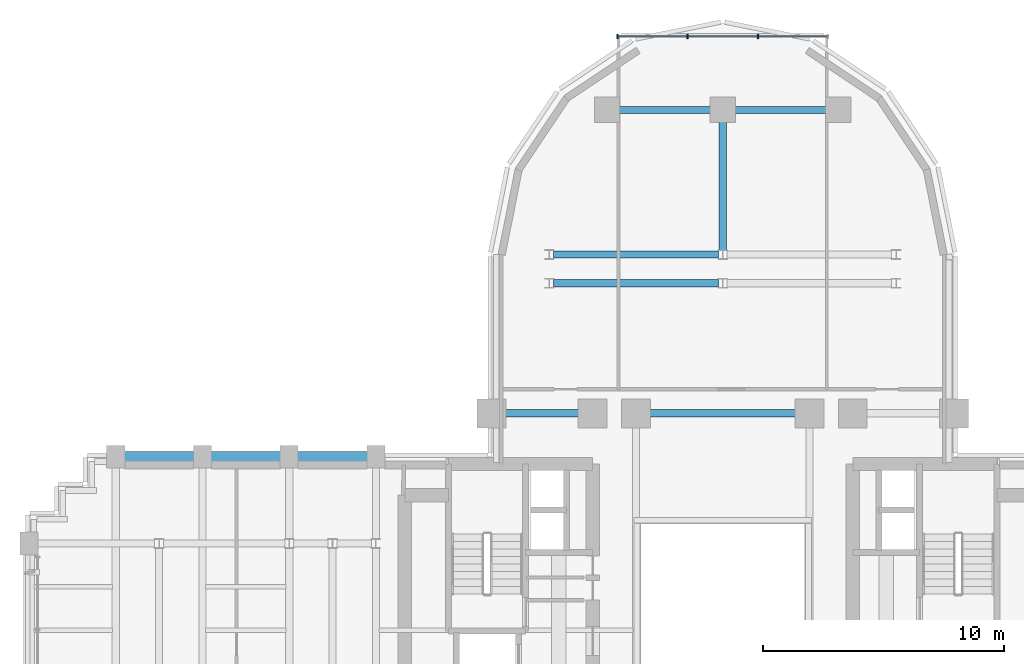
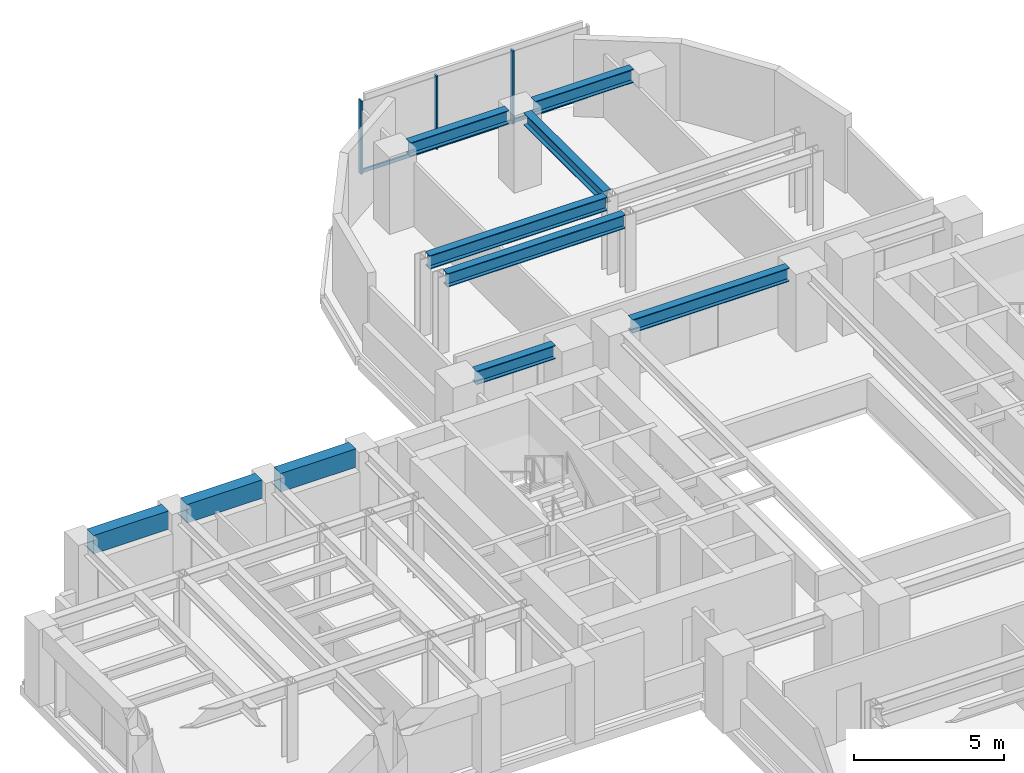
# One storey, part 7 of 16: 10 beams, 6 members, 1 element without a shape of its own.
"""IFC4 building model written with IfcOpenShell, lengths in metres."""

from ifc_helpers import new_model, si_unit, direction, frame, origin, origin_2d, place, context, subcontext, project, spatial, rectangle, i_section, extrude, source, transform, mapped, material, material_profile, profile_set, type_object, element, aggregate, save


model = new_model("IFC4")

# Units and contexts
model_context = context("Model", 3, precision=1e-05, world=origin(), true_north=direction((0.0, 1.0)))
body_context = subcontext(model_context, "Body", "Model", "MODEL_VIEW")
ifc_project = project(units=[si_unit("LENGTHUNIT", "METRE"), si_unit("AREAUNIT", "SQUARE_METRE"), si_unit("VOLUMEUNIT", "CUBIC_METRE"), si_unit("PLANEANGLEUNIT", "RADIAN"), si_unit("MASSUNIT", "GRAM", prefix="KILO")], contexts=[model_context])

# Site, building, storey
site_placement = place(None, origin())
site = spatial("IfcSite", under=ifc_project, at=site_placement, CompositionType="ELEMENT")
building_placement = place(site_placement, origin())
building = spatial("IfcBuilding", under=site, at=building_placement, Name="Keilestroom Media Tower", CompositionType="ELEMENT")
storey_placement = place(building_placement, frame((0.0, 0.0, 85.0)))
storey = spatial("IfcBuildingStorey", under=building, at=storey_placement, Name="L22", CompositionType="ELEMENT", Elevation=85.0)

# Beams
ifc_material_1 = material(Name="Steel S355", Category="steel")
ifc_material_profile_1 = material_profile(ifc_material_1, i_section(OverallWidth=0.300048828125, OverallDepth=0.550048828125, WebThickness=0.012939453125, FlangeThickness=0.029052734375, at=origin_2d()), Name="HEB 550")
ifc_profile_set_1 = profile_set([ifc_material_profile_1], Name="Steel S355")
beam_type_1 = type_object("IfcBeamType", Name="Primary-Structural-Girder-HEB-550", PredefinedType="BEAM", material=ifc_profile_set_1)
shared_shape_1 = source(origin(), body_context, "Body", "SweptSolid", [
    extrude(i_section(OverallWidth=0.300048828125, OverallDepth=0.550048828125, WebThickness=0.012939453125, FlangeThickness=0.029052734375, at=origin_2d()), origin(), (0.0, 0.0, 1.0), 3.7900390625),
])
for number, where, z_axis, x_axis, name in (
    (1, (-4.294921875, 21.60009765625, 2.864990234375), (1.0, 0.0, 0.0), (0.0, 1.0, 0.0), "L22 Beam BG-5 BM-L22-EW-049"),
    (2, (0.5048828125, 21.60009765625, 2.864990234375), (1.0, 0.0, 0.0), (0.0, 1.0, 0.0), "L22 Beam BG-5 BM-L22-EW-050"),
):
    element("IfcBeam", number, at=place(storey_placement, frame(where, z_axis=z_axis, x_axis=x_axis)), inside=storey, type_object=beam_type_1, Name=name, PredefinedType="BEAM", context=body_context, shape_type="MappedRepresentation", body=[
        mapped(shared_shape_1, transform((0.0, 0.0, 0.0), x_axis=(1.0, 0.0, 0.0), y_axis=(0.0, 1.0, 0.0), z_axis=(0.0, 0.0, 1.0), scale=1.0)),
    ])
shared_shape_2 = source(origin(), body_context, "Body", "SweptSolid", [
    extrude(i_section(OverallWidth=0.300048828125, OverallDepth=0.550048828125, WebThickness=0.012939453125, FlangeThickness=0.029052734375, at=origin_2d()), origin(), (0.0, 0.0, 1.0), 6.836181640625),
])
for number, where, z_axis, x_axis, name in (
    (3, (-7.01806640625, 14.39990234375, 2.864990234375), (1.0, 0.0, 0.0), (0.0, 1.0, 0.0), "L22 Beam BG-5 BM-L22-EW-045"),
    (4, (-7.01806640625, 15.60009765625, 2.864990234375), (1.0, 0.0, 0.0), (0.0, 1.0, 0.0), "L22 Beam BG-5 BM-L22-EW-047"),
):
    element("IfcBeam", number, at=place(storey_placement, frame(where, z_axis=z_axis, x_axis=x_axis)), inside=storey, type_object=beam_type_1, Name=name, PredefinedType="BEAM", context=body_context, shape_type="MappedRepresentation", body=[
        mapped(shared_shape_2, transform((0.0, 0.0, 0.0), x_axis=(1.0, 0.0, 0.0), y_axis=(0.0, 1.0, 0.0), z_axis=(0.0, 0.0, 1.0), scale=1.0)),
    ])
shared_shape_3 = source(origin(), body_context, "Body", "SweptSolid", [
    extrude(i_section(OverallWidth=0.300048828125, OverallDepth=0.550048828125, WebThickness=0.012939453125, FlangeThickness=0.029052734375, at=origin_2d()), origin(), (0.0, 0.0, 1.0), 3.0400390625),
])
beam_1_placement = place(storey_placement, frame((-9.02001953125, 9.0, 2.864990234375), z_axis=(1.0, 0.0, 0.0), x_axis=(0.0, 1.0, 0.0)))
element("IfcBeam", 5, at=beam_1_placement, inside=storey, type_object=beam_type_1, Name="L22 Beam BG-5 BM-L22-EW-040", PredefinedType="BEAM", context=body_context, shape_type="MappedRepresentation", body=[
    mapped(shared_shape_3, transform((0.0, 0.0, 0.0), x_axis=(1.0, 0.0, 0.0), y_axis=(0.0, 1.0, 0.0), z_axis=(0.0, 0.0, 1.0), scale=1.0)),
])
shared_shape_4 = source(origin(), body_context, "Body", "SweptSolid", [
    extrude(i_section(OverallWidth=0.300048828125, OverallDepth=0.550048828125, WebThickness=0.012939453125, FlangeThickness=0.029052734375, at=origin_2d()), origin(), (0.0, 0.0, 1.0), 6.0400390625),
])
beam_2_placement = place(storey_placement, frame((-3.02001953125, 9.0, 2.864990234375), z_axis=(1.0, 0.0, 0.0), x_axis=(0.0, 1.0, 0.0)))
element("IfcBeam", 6, at=beam_2_placement, inside=storey, type_object=beam_type_1, Name="L22 Beam BG-5 BM-L22-EW-042", PredefinedType="BEAM", context=body_context, shape_type="MappedRepresentation", body=[
    mapped(shared_shape_4, transform((0.0, 0.0, 0.0), x_axis=(1.0, 0.0, 0.0), y_axis=(0.0, 1.0, 0.0), z_axis=(0.0, 0.0, 1.0), scale=1.0)),
])
ifc_material_2 = material(Name="Precast concrete C40/50", Category="concrete")
ifc_material_profile_2 = material_profile(ifc_material_2, rectangle(XDim=0.449951171875, YDim=0.75, at=origin_2d()), Name="PC 450x750")
ifc_profile_set_2 = profile_set([ifc_material_profile_2], Name="Precast concrete C40/50")
beam_type_2 = type_object("IfcBeamType", Name="Perimeter-Spandrel-Beam-PC-450x750", PredefinedType="SPANDREL", material=ifc_profile_set_2)
shared_shape_5 = source(origin(), body_context, "Body", "SweptSolid", [
    extrude(rectangle(XDim=0.449951171875, YDim=0.75, at=origin_2d()), origin(), (0.0, 0.0, 1.0), 2.889892578125),
])
beam_3_placement = place(storey_placement, frame((-24.844970703125, 7.199951171875, 2.764892578125), z_axis=(1.0, 0.0, 0.0), x_axis=(0.0, 1.0, 0.0)))
element("IfcBeam", 7, at=beam_3_placement, inside=storey, type_object=beam_type_2, Name="L22 Beam SPB-1 BM-L22-EW-034", PredefinedType="SPANDREL", context=body_context, shape_type="MappedRepresentation", body=[
    mapped(shared_shape_5, transform((0.0, 0.0, 0.0), x_axis=(1.0, 0.0, 0.0), y_axis=(0.0, 1.0, 0.0), z_axis=(0.0, 0.0, 1.0), scale=1.0)),
])
shared_shape_6 = source(origin(), body_context, "Body", "SweptSolid", [
    extrude(rectangle(XDim=0.449951171875, YDim=0.75, at=origin_2d()), origin(), (0.0, 0.0, 1.0), 2.89013671875),
])
for number, where, z_axis, x_axis, name in (
    (8, (-21.2451171875, 7.199951171875, 2.764892578125), (1.0, 0.0, 0.0), (0.0, 1.0, 0.0), "L22 Beam SPB-1 BM-L22-EW-035"),
    (9, (-17.64501953125, 7.199951171875, 2.764892578125), (1.0, 0.0, 0.0), (0.0, 1.0, 0.0), "L22 Beam SPB-1 BM-L22-EW-036"),
):
    element("IfcBeam", number, at=place(storey_placement, frame(where, z_axis=z_axis, x_axis=x_axis)), inside=storey, type_object=beam_type_2, Name=name, PredefinedType="SPANDREL", context=body_context, shape_type="MappedRepresentation", body=[
        mapped(shared_shape_6, transform((0.0, 0.0, 0.0), x_axis=(1.0, 0.0, 0.0), y_axis=(0.0, 1.0, 0.0), z_axis=(0.0, 0.0, 1.0), scale=1.0)),
    ])
ifc_material_profile_3 = material_profile(ifc_material_1, i_section(OverallWidth=0.300048828125, OverallDepth=0.5, WebThickness=0.012451171875, FlangeThickness=0.028076171875, at=origin_2d()), Name="HEB 500")
ifc_profile_set_3 = profile_set([ifc_material_profile_3], Name="Steel S355")
beam_type_3 = type_object("IfcBeamType", Name="Primary-Structural-Girder-HEB-500", PredefinedType="BEAM", material=ifc_profile_set_3)
shared_shape_7 = source(origin(), body_context, "Body", "SweptSolid", [
    extrude(i_section(OverallWidth=0.300048828125, OverallDepth=0.5, WebThickness=0.012451171875, FlangeThickness=0.028076171875, at=origin_2d()), origin(), (0.0, 0.0, 1.0), 5.3115234375),
])
beam_4_placement = place(storey_placement, frame((0.0, 15.783447265625, 2.889892578125), z_axis=(0.0, 1.0, 0.0), x_axis=(-1.0, 0.0, 0.0)))
element("IfcBeam", 10, at=beam_4_placement, inside=storey, type_object=beam_type_3, Name="L22 Beam BG-6 BM-L22-NS-070", PredefinedType="BEAM", context=body_context, shape_type="MappedRepresentation", body=[
    mapped(shared_shape_7, transform((0.0, 0.0, 0.0), x_axis=(1.0, 0.0, 0.0), y_axis=(0.0, 1.0, 0.0), z_axis=(0.0, 0.0, 1.0), scale=1.0)),
])

# Curtain wall, members
ifc_material_3 = material(Name="Anodised Aluminium Alloy", Category="aluminium")
curtain_wall_type = type_object("IfcCurtainWallType", Name="Unitised-Curtain-Wall-CW-6", PredefinedType="NOTDEFINED", material=ifc_material_3)
curtain_wall_placement = place(storey_placement, origin())
curtain_wall = element("IfcCurtainWall", 11, at=curtain_wall_placement, inside=storey, type_object=curtain_wall_type, Name="L22 Curtain Wall CW-6 CW-L22-LN-1", PredefinedType="NOTDEFINED")
ifc_material_profile_4 = material_profile(ifc_material_3, rectangle(XDim=0.06494140625, YDim=0.179931640625, at=origin_2d()), Name="ALU MULLION 65x180")
ifc_profile_set_4 = profile_set([ifc_material_profile_4], Name="Anodised Aluminium Alloy")
member_type_1 = type_object("IfcMemberType", Name="Curtain-Wall-Mullion-CW-6", PredefinedType="MULLION", material=ifc_profile_set_4)
shared_shape_8 = source(origin(), body_context, "Body", "SweptSolid", [
    extrude(rectangle(XDim=0.06494140625, YDim=0.179931640625, at=origin_2d()), origin(), (0.0, 0.0, 1.0), 2.97998046875),
])
member_1_placement = place(storey_placement, frame((-4.367431640625, 24.64990234375, 0.0), z_axis=(0.0, 0.0, 1.0), x_axis=(1.0, 0.0, 0.0)))
member_1 = element("IfcMember", 12, at=member_1_placement, type_object=member_type_1, Name="CW-6 Mullion 00", PredefinedType="MULLION", context=body_context, shape_type="MappedRepresentation", body=[
    mapped(shared_shape_8, transform((0.0, 0.0, 0.0), x_axis=(1.0, 0.0, 0.0), y_axis=(0.0, 1.0, 0.0), z_axis=(0.0, 0.0, 1.0), scale=1.0)),
])
member_2_placement = place(storey_placement, frame((-1.466796875, 24.64990234375, 0.0), z_axis=(0.0, 0.0, 1.0), x_axis=(1.0, 0.0, 0.0)))
member_2 = element("IfcMember", 13, at=member_2_placement, type_object=member_type_1, Name="CW-6 Mullion 01", PredefinedType="MULLION", context=body_context, shape_type="MappedRepresentation", body=[
    mapped(shared_shape_8, transform((0.0, 0.0, 0.0), x_axis=(1.0, 0.0, 0.0), y_axis=(0.0, 1.0, 0.0), z_axis=(0.0, 0.0, 1.0), scale=1.0)),
])
member_3_placement = place(storey_placement, frame((1.466796875, 24.64990234375, 0.0), z_axis=(0.0, 0.0, 1.0), x_axis=(1.0, 0.0, 0.0)))
member_3 = element("IfcMember", 14, at=member_3_placement, type_object=member_type_1, Name="CW-6 Mullion 02", PredefinedType="MULLION", context=body_context, shape_type="MappedRepresentation", body=[
    mapped(shared_shape_8, transform((0.0, 0.0, 0.0), x_axis=(1.0, 0.0, 0.0), y_axis=(0.0, 1.0, 0.0), z_axis=(0.0, 0.0, 1.0), scale=1.0)),
])
ifc_material_profile_5 = material_profile(ifc_material_3, rectangle(XDim=0.06494140625, YDim=0.14990234375, at=origin_2d()), Name="ALU TRANSOM 65x150")
ifc_profile_set_5 = profile_set([ifc_material_profile_5], Name="Anodised Aluminium Alloy")
member_type_2 = type_object("IfcMemberType", Name="Curtain-Wall-Transom-CW-6", PredefinedType="USERDEFINED", material=ifc_profile_set_5)
shared_shape_9 = source(origin(), body_context, "Body", "SweptSolid", [
    extrude(rectangle(XDim=0.06494140625, YDim=0.14990234375, at=origin_2d()), origin(), (0.0, 0.0, 1.0), 2.839599609375),
])
member_4_placement = place(storey_placement, frame((-4.3369140625, 24.64990234375, 0.074951171875), z_axis=(1.0, 0.0, 0.0), x_axis=(0.0, 1.0, 0.0)))
member_4 = element("IfcMember", 15, at=member_4_placement, type_object=member_type_2, Name="CW-6 Transom 00.1", ObjectType="TRANSOM", PredefinedType="USERDEFINED", context=body_context, shape_type="MappedRepresentation", body=[
    mapped(shared_shape_9, transform((0.0, 0.0, 0.0), x_axis=(1.0, 0.0, 0.0), y_axis=(0.0, 1.0, 0.0), z_axis=(0.0, 0.0, 1.0), scale=1.0)),
])
member_5_placement = place(storey_placement, frame((1.497314453125, 24.64990234375, 0.074951171875), z_axis=(1.0, 0.0, 0.0), x_axis=(0.0, 1.0, 0.0)))
member_5 = element("IfcMember", 16, at=member_5_placement, type_object=member_type_2, Name="CW-6 Transom 02.1", ObjectType="TRANSOM", PredefinedType="USERDEFINED", context=body_context, shape_type="MappedRepresentation", body=[
    mapped(shared_shape_9, transform((0.0, 0.0, 0.0), x_axis=(1.0, 0.0, 0.0), y_axis=(0.0, 1.0, 0.0), z_axis=(0.0, 0.0, 1.0), scale=1.0)),
])
shared_shape_10 = source(origin(), body_context, "Body", "SweptSolid", [
    extrude(rectangle(XDim=0.06494140625, YDim=0.14990234375, at=origin_2d()), origin(), (0.0, 0.0, 1.0), 2.87255859375),
])
member_6_placement = place(storey_placement, frame((-1.436279296875, 24.64990234375, 0.074951171875), z_axis=(1.0, 0.0, 0.0), x_axis=(0.0, 1.0, 0.0)))
member_6 = element("IfcMember", 17, at=member_6_placement, type_object=member_type_2, Name="CW-6 Transom 01.1", ObjectType="TRANSOM", PredefinedType="USERDEFINED", context=body_context, shape_type="MappedRepresentation", body=[
    mapped(shared_shape_10, transform((0.0, 0.0, 0.0), x_axis=(1.0, 0.0, 0.0), y_axis=(0.0, 1.0, 0.0), z_axis=(0.0, 0.0, 1.0), scale=1.0)),
])
aggregate(curtain_wall, [member_1, member_2, member_3, member_4, member_6, member_5])

save(model, "model.ifc")
